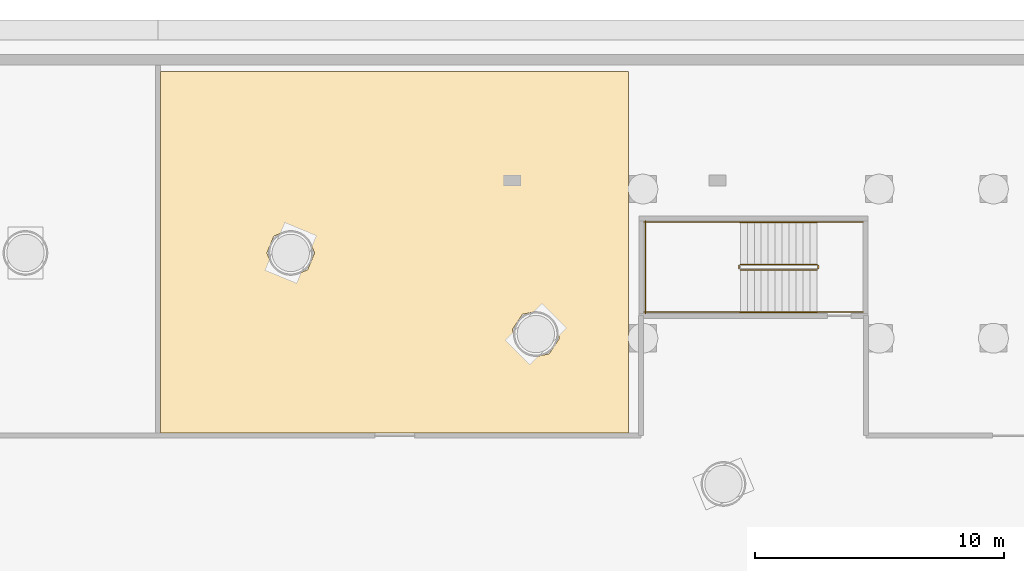
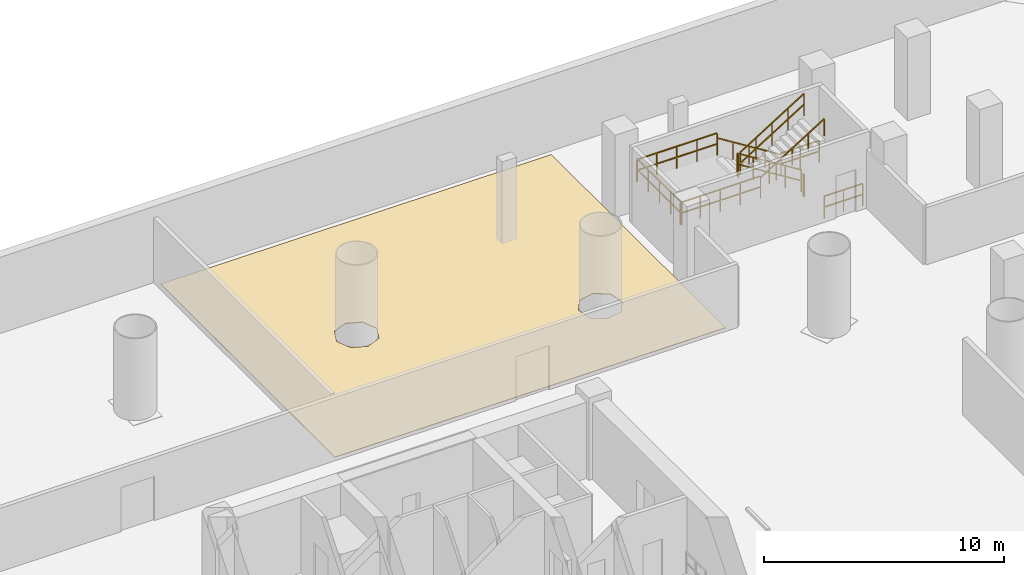
# One storey, part 10 of 11: 11 railings, 1 covering.
"""IFC4 building model written with IfcOpenShell, lengths in metres."""

from ifc_helpers import new_model, si_unit, direction, frame, origin, origin_2d, place, context, subcontext, project, spatial, polyline, rectangle, outline, extrude, material, layer, layer_set, type_object, element, save


model = new_model("IFC4")

# Units and contexts
model_context = context("Model", 3, precision=1e-05, world=origin(), true_north=direction((-0.2419218956, 0.970295726276)))
body_context = subcontext(model_context, "Body", "Model", "MODEL_VIEW")
ifc_project = project(units=[si_unit("LENGTHUNIT", "METRE"), si_unit("AREAUNIT", "SQUARE_METRE"), si_unit("VOLUMEUNIT", "CUBIC_METRE"), si_unit("PLANEANGLEUNIT", "RADIAN"), si_unit("MASSUNIT", "GRAM", prefix="KILO")], contexts=[model_context])

# Site, building, storey
site_placement = place(None, origin())
site = spatial("IfcSite", under=ifc_project, at=site_placement, CompositionType="ELEMENT")
building_placement = place(site_placement, origin())
building = spatial("IfcBuilding", under=site, at=building_placement, Name="Cobrevalo Terracotta Tower", CompositionType="ELEMENT")
storey_placement = place(building_placement, frame((0.0, 0.0, -8.39990234375)))
storey = spatial("IfcBuildingStorey", under=building, at=storey_placement, Name="B02", CompositionType="ELEMENT", Elevation=-8.39990234375)

# Covering
ifc_material_1 = material(Name="Honed terracotta and granite tile", Category="masonry")
ifc_layer = layer(ifc_material_1, 0.034912109375)
ifc_layer_set = layer_set([ifc_layer], Name="Honed terracotta and granite tile")
covering_type = type_object("IfcCoveringType", Name="Honed Terracotta & Granite Interior Flooring 35", PredefinedType="FLOORING", material=ifc_layer_set)
covering_placement = place(storey_placement, origin())
element("IfcCovering", 1, at=covering_placement, inside=storey, type_object=covering_type, Name="Stormwater Detention Plant floor finish", PredefinedType="FLOORING", context=body_context, shape_type="SweptSolid", body=[
    extrude(outline(polyline([(56.929931640625, 55.530029296875), (56.929931640625, 40.97998046875), (38.10009765625, 40.97998046875), (38.10009765625, 55.530029296875), (56.929931640625, 55.530029296875)]), holes=[polyline([(53.728271484375, 44.16943359375), (54.136474609375, 44.7802734375), (53.9931640625, 45.5009765625), (53.382080078125, 45.9091796875), (52.661376953125, 45.765869140625), (52.253173828125, 45.155029296875), (52.396484375, 44.434326171875), (53.007568359375, 44.02587890625), (53.728271484375, 44.16943359375)]), polyline([(44.0146484375, 47.55126953125), (44.2958984375, 48.230224609375), (44.0146484375, 48.908935546875), (43.335693359375, 49.190185546875), (42.65673828125, 48.908935546875), (42.375732421875, 48.230224609375), (42.65673828125, 47.55126953125), (43.335693359375, 47.27001953125), (44.0146484375, 47.55126953125)])]), origin(), (0.0, 0.0, 1.0), 0.02978515625),
])

# Railings
ifc_material_2 = material(Name="Brushed stainless steel", Category="steel")
railing_type_1 = type_object("IfcRailingType", Name="Stainless Steel Stair Handrail 900", PredefinedType="HANDRAIL", material=ifc_material_2)
railing_1_placement = place(storey_placement, frame((64.5, 49.469970703125, 0.1748046875)))
element("IfcRailing", 2, at=railing_1_placement, inside=storey, type_object=railing_type_1, Name="B02 ST-P2 stair handrail 1", PredefinedType="HANDRAIL", context=body_context, shape_type="SweptSolid", body=[
    extrude(rectangle(XDim=0.048095703125, YDim=0.048095703125, at=origin_2d()), frame((0.0, 0.0, 0.8759765625), z_axis=(-0.847998304005, 0.0, 0.529998940003), x_axis=(0.0, -1.0, 0.0)), (0.0, 0.0, 1.0), 3.632080078125),
    extrude(rectangle(XDim=0.0419921875, YDim=0.0419921875, at=origin_2d()), origin(), (0.0, 0.0, 1.0), 0.851806640625),
    extrude(rectangle(XDim=0.0419921875, YDim=0.0419921875, at=origin_2d()), frame((-0.77001953125, 0.0, 0.481201171875)), (0.0, 0.0, 1.0), 0.851806640625),
    extrude(rectangle(XDim=0.0419921875, YDim=0.0419921875, at=origin_2d()), frame((-1.5400390625, 0.0, 0.96240234375)), (0.0, 0.0, 1.0), 0.851806640625),
    extrude(rectangle(XDim=0.0419921875, YDim=0.0419921875, at=origin_2d()), frame((-2.31005859375, 0.0, 1.44384765625)), (0.0, 0.0, 1.0), 0.851806640625),
    extrude(rectangle(XDim=0.0419921875, YDim=0.0419921875, at=origin_2d()), frame((-3.080078125, 0.0, 1.925048828125)), (0.0, 0.0, 1.0), 0.851806640625),
])
railing_2_placement = place(storey_placement, frame((61.419921875, 45.85009765625, 2.27490234375)))
element("IfcRailing", 3, at=railing_2_placement, inside=storey, type_object=railing_type_1, Name="B02 ST-P2 stair handrail 2", PredefinedType="HANDRAIL", context=body_context, shape_type="SweptSolid", body=[
    extrude(rectangle(XDim=0.048095703125, YDim=0.048095703125, at=origin_2d()), frame((0.0, 0.0, 0.8759765625), z_axis=(0.847998304005, 0.0, 0.529998940003), x_axis=(0.0, 1.0, 0.0)), (0.0, 0.0, 1.0), 3.632080078125),
    extrude(rectangle(XDim=0.0419921875, YDim=0.0419921875, at=origin_2d()), origin(), (0.0, 0.0, 1.0), 0.851806640625),
    extrude(rectangle(XDim=0.0419921875, YDim=0.0419921875, at=origin_2d()), frame((0.77001953125, 0.0, 0.481201171875)), (0.0, 0.0, 1.0), 0.851806640625),
    extrude(rectangle(XDim=0.0419921875, YDim=0.0419921875, at=origin_2d()), frame((1.5400390625, 0.0, 0.96240234375)), (0.0, 0.0, 1.0), 0.851806640625),
    extrude(rectangle(XDim=0.0419921875, YDim=0.0419921875, at=origin_2d()), frame((2.31005859375, 0.0, 1.44384765625)), (0.0, 0.0, 1.0), 0.851806640625),
    extrude(rectangle(XDim=0.0419921875, YDim=0.0419921875, at=origin_2d()), frame((3.080078125, 0.0, 1.925048828125)), (0.0, 0.0, 1.0), 0.851806640625),
])
ifc_material_3 = material(Name="Painted galvanized steel", Category="steel")
railing_type_2 = type_object("IfcRailingType", Name="Stair Well Guard Balustrade 1150", PredefinedType="GUARDRAIL", material=ifc_material_3)
railing_3_placement = place(storey_placement, frame((64.5, 47.77001953125, 0.1748046875)))
element("IfcRailing", 4, at=railing_3_placement, inside=storey, type_object=railing_type_2, Name="B02 ST-P2 stair guard 1", PredefinedType="GUARDRAIL", context=body_context, shape_type="SweptSolid", body=[
    extrude(rectangle(XDim=0.048095703125, YDim=0.048095703125, at=origin_2d()), frame((0.0, 0.0, 1.1259765625), z_axis=(-0.847998304005, 0.0, 0.529998940003), x_axis=(0.0, -1.0, 0.0)), (0.0, 0.0, 1.0), 3.632080078125),
    extrude(rectangle(XDim=0.048095703125, YDim=0.048095703125, at=origin_2d()), frame((0.0, 0.0, 0.574951171875), z_axis=(-0.847998304005, 0.0, 0.529998940003), x_axis=(0.0, -1.0, 0.0)), (0.0, 0.0, 1.0), 3.632080078125),
    extrude(rectangle(XDim=0.0419921875, YDim=0.0419921875, at=origin_2d()), origin(), (0.0, 0.0, 1.0), 1.101806640625),
    extrude(rectangle(XDim=0.0419921875, YDim=0.0419921875, at=origin_2d()), frame((-0.77001953125, 0.0, 0.481201171875)), (0.0, 0.0, 1.0), 1.101806640625),
    extrude(rectangle(XDim=0.0419921875, YDim=0.0419921875, at=origin_2d()), frame((-1.5400390625, 0.0, 0.96240234375)), (0.0, 0.0, 1.0), 1.101806640625),
    extrude(rectangle(XDim=0.0419921875, YDim=0.0419921875, at=origin_2d()), frame((-2.31005859375, 0.0, 1.44384765625)), (0.0, 0.0, 1.0), 1.101806640625),
    extrude(rectangle(XDim=0.0419921875, YDim=0.0419921875, at=origin_2d()), frame((-3.080078125, 0.0, 1.925048828125)), (0.0, 0.0, 1.0), 1.101806640625),
])
railing_4_placement = place(storey_placement, frame((61.3701171875, 47.719970703125, 2.099853515625)))
element("IfcRailing", 5, at=railing_4_placement, inside=storey, type_object=railing_type_2, Name="B02 ST-P2 stair guard 2", PredefinedType="GUARDRAIL", context=body_context, shape_type="SweptSolid", body=[
    extrude(rectangle(XDim=0.048095703125, YDim=0.048095703125, at=origin_2d()), frame((0.0, 0.0, 1.1259765625), z_axis=(0.0, -1.0, 0.0), x_axis=(1.0, 0.0, 0.0)), (0.0, 0.0, 1.0), 0.119873046875),
    extrude(rectangle(XDim=0.048095703125, YDim=0.048095703125, at=origin_2d()), frame((0.0, 0.0, 0.574951171875), z_axis=(0.0, -1.0, 0.0), x_axis=(1.0, 0.0, 0.0)), (0.0, 0.0, 1.0), 0.119873046875),
    extrude(rectangle(XDim=0.0419921875, YDim=0.0419921875, at=origin_2d()), origin(), (0.0, 0.0, 1.0), 1.101806640625),
    extrude(rectangle(XDim=0.0419921875, YDim=0.0419921875, at=origin_2d()), frame((0.0, -0.119873046875, 0.0)), (0.0, 0.0, 1.0), 1.101806640625),
])
for number, where, name in (
    (6, (61.419921875, 49.469970703125, 2.099853515625), "B02 ST-P2 stair guard 3"),
    (7, (61.419921875, 45.85009765625, 2.099853515625), "B02 ST-P2 stair guard 4"),
):
    element("IfcRailing", number, at=place(storey_placement, frame(where)), inside=storey, type_object=railing_type_2, Name=name, PredefinedType="GUARDRAIL", context=body_context, shape_type="SweptSolid", body=[
        extrude(rectangle(XDim=0.048095703125, YDim=0.048095703125, at=origin_2d()), frame((0.0, 0.0, 1.1259765625), z_axis=(-1.0, 0.0, 0.0), x_axis=(0.0, -1.0, 0.0)), (0.0, 0.0, 1.0), 3.869873046875),
        extrude(rectangle(XDim=0.048095703125, YDim=0.048095703125, at=origin_2d()), frame((0.0, 0.0, 0.574951171875), z_axis=(-1.0, 0.0, 0.0), x_axis=(0.0, -1.0, 0.0)), (0.0, 0.0, 1.0), 3.869873046875),
        extrude(rectangle(XDim=0.0419921875, YDim=0.0419921875, at=origin_2d()), origin(), (0.0, 0.0, 1.0), 1.101806640625),
        extrude(rectangle(XDim=0.0419921875, YDim=0.0419921875, at=origin_2d()), frame((-0.967529296875, 0.0, 0.0)), (0.0, 0.0, 1.0), 1.101806640625),
        extrude(rectangle(XDim=0.0419921875, YDim=0.0419921875, at=origin_2d()), frame((-1.93505859375, 0.0, 0.0)), (0.0, 0.0, 1.0), 1.101806640625),
        extrude(rectangle(XDim=0.0419921875, YDim=0.0419921875, at=origin_2d()), frame((-2.90234375, 0.0, 0.0)), (0.0, 0.0, 1.0), 1.101806640625),
        extrude(rectangle(XDim=0.0419921875, YDim=0.0419921875, at=origin_2d()), frame((-3.869873046875, 0.0, 0.0)), (0.0, 0.0, 1.0), 1.101806640625),
    ])
railing_5_placement = place(storey_placement, frame((57.60009765625, 49.52001953125, 2.099853515625)))
element("IfcRailing", 8, at=railing_5_placement, inside=storey, type_object=railing_type_2, Name="B02 ST-P2 stair guard 5", PredefinedType="GUARDRAIL", context=body_context, shape_type="SweptSolid", body=[
    extrude(rectangle(XDim=0.048095703125, YDim=0.048095703125, at=origin_2d()), frame((0.0, 0.0, 1.1259765625), z_axis=(0.0, -1.0, 0.0), x_axis=(1.0, 0.0, 0.0)), (0.0, 0.0, 1.0), 3.719970703125),
    extrude(rectangle(XDim=0.048095703125, YDim=0.048095703125, at=origin_2d()), frame((0.0, 0.0, 0.574951171875), z_axis=(0.0, -1.0, 0.0), x_axis=(1.0, 0.0, 0.0)), (0.0, 0.0, 1.0), 3.719970703125),
    extrude(rectangle(XDim=0.0419921875, YDim=0.0419921875, at=origin_2d()), origin(), (0.0, 0.0, 1.0), 1.101806640625),
    extrude(rectangle(XDim=0.0419921875, YDim=0.0419921875, at=origin_2d()), frame((0.0, -0.929931640625, 0.0)), (0.0, 0.0, 1.0), 1.101806640625),
    extrude(rectangle(XDim=0.0419921875, YDim=0.0419921875, at=origin_2d()), frame((0.0, -1.85986328125, 0.0)), (0.0, 0.0, 1.0), 1.101806640625),
    extrude(rectangle(XDim=0.0419921875, YDim=0.0419921875, at=origin_2d()), frame((0.0, -2.7900390625, 0.0)), (0.0, 0.0, 1.0), 1.101806640625),
    extrude(rectangle(XDim=0.0419921875, YDim=0.0419921875, at=origin_2d()), frame((0.0, -3.719970703125, 0.0)), (0.0, 0.0, 1.0), 1.101806640625),
])
railing_6_placement = place(storey_placement, frame((61.419921875, 47.550048828125, 2.27490234375)))
element("IfcRailing", 9, at=railing_6_placement, inside=storey, type_object=railing_type_2, Name="B02 ST-P2 stair guard 6", PredefinedType="GUARDRAIL", context=body_context, shape_type="SweptSolid", body=[
    extrude(rectangle(XDim=0.048095703125, YDim=0.048095703125, at=origin_2d()), frame((0.0, 0.0, 1.1259765625), z_axis=(0.847998304005, 0.0, 0.529998940003), x_axis=(0.0, 1.0, 0.0)), (0.0, 0.0, 1.0), 3.632080078125),
    extrude(rectangle(XDim=0.048095703125, YDim=0.048095703125, at=origin_2d()), frame((0.0, 0.0, 0.574951171875), z_axis=(0.847998304005, 0.0, 0.529998940003), x_axis=(0.0, 1.0, 0.0)), (0.0, 0.0, 1.0), 3.632080078125),
    extrude(rectangle(XDim=0.0419921875, YDim=0.0419921875, at=origin_2d()), origin(), (0.0, 0.0, 1.0), 1.101806640625),
    extrude(rectangle(XDim=0.0419921875, YDim=0.0419921875, at=origin_2d()), frame((0.77001953125, 0.0, 0.481201171875)), (0.0, 0.0, 1.0), 1.101806640625),
    extrude(rectangle(XDim=0.0419921875, YDim=0.0419921875, at=origin_2d()), frame((1.5400390625, 0.0, 0.96240234375)), (0.0, 0.0, 1.0), 1.101806640625),
    extrude(rectangle(XDim=0.0419921875, YDim=0.0419921875, at=origin_2d()), frame((2.31005859375, 0.0, 1.44384765625)), (0.0, 0.0, 1.0), 1.101806640625),
    extrude(rectangle(XDim=0.0419921875, YDim=0.0419921875, at=origin_2d()), frame((3.080078125, 0.0, 1.925048828125)), (0.0, 0.0, 1.0), 1.101806640625),
])
railing_7_placement = place(storey_placement, frame((64.550048828125, 47.719970703125, 0.0)))
element("IfcRailing", 10, at=railing_7_placement, inside=storey, type_object=railing_type_2, Name="B02 ST-P2 stair guard 7", PredefinedType="GUARDRAIL", context=body_context, shape_type="SweptSolid", body=[
    extrude(rectangle(XDim=0.048095703125, YDim=0.048095703125, at=origin_2d()), frame((0.0, 0.0, 1.1259765625), z_axis=(0.0, -1.0, 0.0), x_axis=(1.0, 0.0, 0.0)), (0.0, 0.0, 1.0), 0.119873046875),
    extrude(rectangle(XDim=0.048095703125, YDim=0.048095703125, at=origin_2d()), frame((0.0, 0.0, 0.574951171875), z_axis=(0.0, -1.0, 0.0), x_axis=(1.0, 0.0, 0.0)), (0.0, 0.0, 1.0), 0.119873046875),
    extrude(rectangle(XDim=0.0419921875, YDim=0.0419921875, at=origin_2d()), origin(), (0.0, 0.0, 1.0), 1.101806640625),
    extrude(rectangle(XDim=0.0419921875, YDim=0.0419921875, at=origin_2d()), frame((0.0, -0.119873046875, 0.0)), (0.0, 0.0, 1.0), 1.101806640625),
])
for number, where, name in (
    (11, (66.35009765625, 49.469970703125, 0.0), "B02 ST-P2 stair guard 8"),
    (12, (66.35009765625, 45.85009765625, 0.0), "B02 ST-P2 stair guard 9"),
):
    element("IfcRailing", number, at=place(storey_placement, frame(where)), inside=storey, type_object=railing_type_2, Name=name, PredefinedType="GUARDRAIL", context=body_context, shape_type="SweptSolid", body=[
        extrude(rectangle(XDim=0.048095703125, YDim=0.048095703125, at=origin_2d()), frame((0.0, 0.0, 1.1259765625), z_axis=(-1.0, 0.0, 0.0), x_axis=(0.0, -1.0, 0.0)), (0.0, 0.0, 1.0), 1.85009765625),
        extrude(rectangle(XDim=0.048095703125, YDim=0.048095703125, at=origin_2d()), frame((0.0, 0.0, 0.574951171875), z_axis=(-1.0, 0.0, 0.0), x_axis=(0.0, -1.0, 0.0)), (0.0, 0.0, 1.0), 1.85009765625),
        extrude(rectangle(XDim=0.0419921875, YDim=0.0419921875, at=origin_2d()), origin(), (0.0, 0.0, 1.0), 1.101806640625),
        extrude(rectangle(XDim=0.0419921875, YDim=0.0419921875, at=origin_2d()), frame((-0.925048828125, 0.0, 0.0)), (0.0, 0.0, 1.0), 1.101806640625),
        extrude(rectangle(XDim=0.0419921875, YDim=0.0419921875, at=origin_2d()), frame((-1.85009765625, 0.0, 0.0)), (0.0, 0.0, 1.0), 1.101806640625),
    ])

save(model, "model.ifc")
